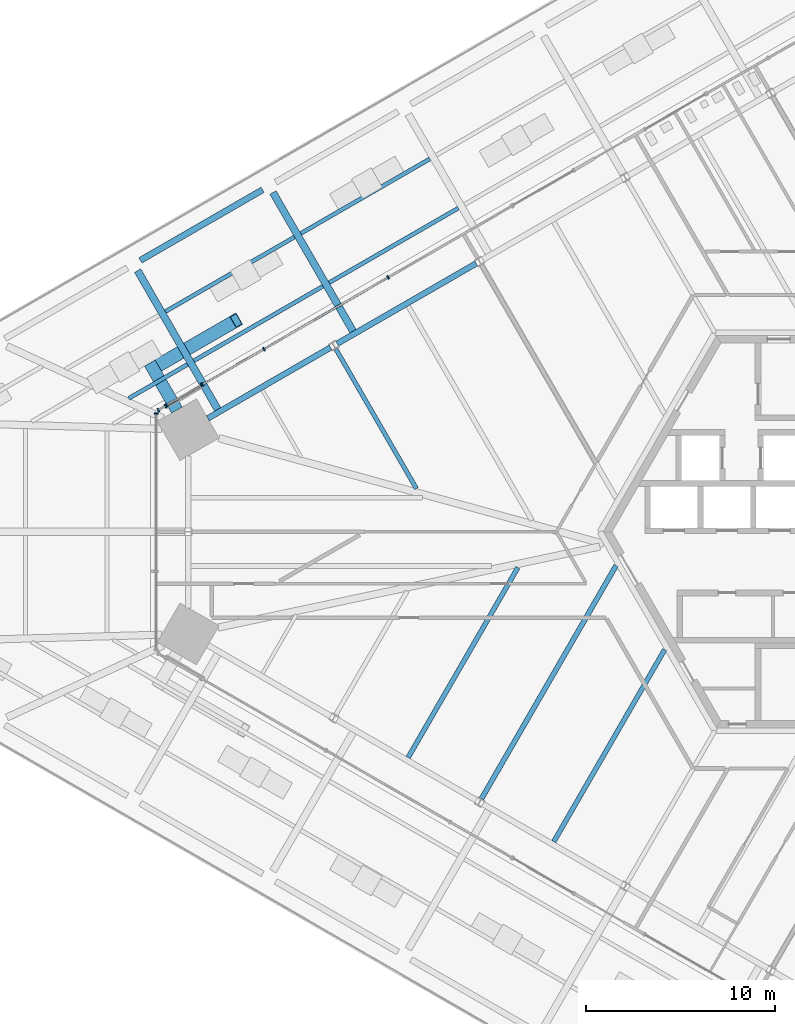
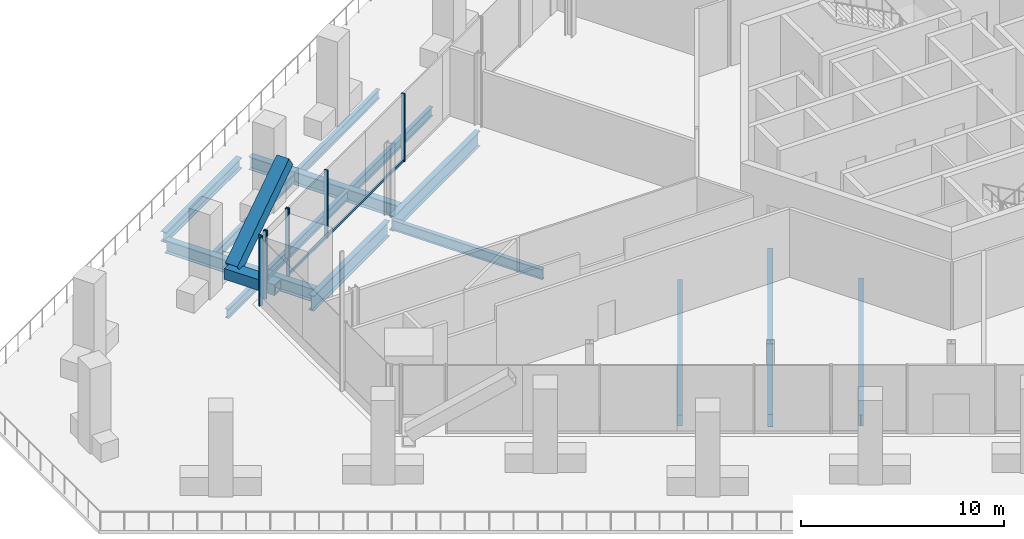
# One storey, part 7 of 38: 14 beams, 13 members, 4 elements without a shape of their own.
"""IFC4 building model written with IfcOpenShell, lengths in metres."""

import ifcopenshell
import ifcopenshell.guid

model = None  # the IFC model being written
_history = None  # IfcOwnerHistory: only IFC2X3 demands one
_inside = {}  # id of a spatial element -> (the spatial element, [elements in it])
_under = {}  # id of a project, library or spatial element -> (it, [spatial elements below it])
_declared = {}  # id of a project -> (the project, [libraries it declares])
_typed = {}  # id of a type object -> (the type object, [elements of that type])
_made_of = {}  # id of a material, layer set ... -> (it, [elements and type objects made of it])


def new_model(schema):
    """Start an empty IFC model of exactly this schema.

    Asked for "IFC4X3", IfcOpenShell would pick the latest addendum, in which some entities
    have other attributes; the version numbers below select the first issue.
    IFC2X3 requires an IfcOwnerHistory on every rooted entity: one is made here for all.
    """
    global model, _history
    if schema == "IFC4X3":
        model = ifcopenshell.file(schema_version=(4, 3, 0, 0))
    else:
        model = ifcopenshell.file(schema=schema)
    _inside.clear()
    _under.clear()
    _declared.clear()
    _typed.clear()
    _made_of.clear()
    _history = None
    if model.schema == "IFC2X3":
        org = make("IfcOrganization", Name="unknown")
        user = make(
            "IfcPersonAndOrganization",
            ThePerson=make("IfcPerson", FamilyName="unknown"),
            TheOrganization=org,
        )
        app = make(
            "IfcApplication",
            ApplicationDeveloper=org,
            Version="unknown",
            ApplicationFullName="unknown",
            ApplicationIdentifier="unknown",
        )
        _history = make(
            "IfcOwnerHistory",
            OwningUser=user,
            OwningApplication=app,
            ChangeAction="ADDED",
            CreationDate=0,
        )
    return model


def make(cls, **values):
    """One entity of the class cls with the attributes given. An attribute that is None is left unset."""
    return model.create_entity(
        cls, **{name: value for name, value in values.items() if value is not None}
    )


def rooted(cls, **values):
    """An entity with a GlobalId (a new one), such as an element, a storey or a relation."""
    return make(cls, GlobalId=ifcopenshell.guid.new(), OwnerHistory=_history, **values)


def si_unit(unit_type, name, prefix=None):
    """IfcSIUnit, for example si_unit("LENGTHUNIT", "METRE", prefix="MILLI")."""
    return make("IfcSIUnit", UnitType=unit_type, Prefix=prefix, Name=name)


def assignment(units):
    """IfcUnitAssignment: the units of a project."""
    return None if units is None else make("IfcUnitAssignment", Units=units)


def point(xyz):
    """IfcCartesianPoint."""
    return None if xyz is None else make("IfcCartesianPoint", Coordinates=xyz)


def direction(xyz):
    """IfcDirection."""
    return None if xyz is None else make("IfcDirection", DirectionRatios=xyz)


def frame(location, z_axis=None, x_axis=None):
    """IfcAxis2Placement3D, a coordinate frame: its origin and axes. An axis left out is left unset."""
    return make(
        "IfcAxis2Placement3D",
        Location=point(location),
        Axis=direction(z_axis),
        RefDirection=direction(x_axis),
    )


def frame_2d(location, x_axis=None):
    """IfcAxis2Placement2D, a coordinate frame in the plane: its origin and x axis."""
    return make(
        "IfcAxis2Placement2D", Location=point(location), RefDirection=direction(x_axis)
    )


def origin():
    """The frame at (0, 0, 0) with its axes left unset."""
    return frame((0.0, 0.0, 0.0))


def origin_2d():
    """The frame at (0, 0) in the plane with its x axis left unset."""
    return frame_2d((0.0, 0.0))


def place(relative_to, where):
    """IfcLocalPlacement: puts the frame where relative to a parent placement (None: the world)."""
    return make(
        "IfcLocalPlacement", PlacementRelTo=relative_to, RelativePlacement=where
    )


def context(
    kind, dimensions, precision=None, world=None, true_north=None, identifier=None
):
    """IfcGeometricRepresentationContext, for example the 3D "Model" context."""
    return make(
        "IfcGeometricRepresentationContext",
        ContextIdentifier=identifier,
        ContextType=kind,
        CoordinateSpaceDimension=dimensions,
        Precision=precision,
        WorldCoordinateSystem=world,
        TrueNorth=true_north,
    )


def subcontext(parent, identifier, kind, view, scale=None):
    """IfcGeometricRepresentationSubContext, for example "Body" below "Model"."""
    return make(
        "IfcGeometricRepresentationSubContext",
        ContextIdentifier=identifier,
        ContextType=kind,
        ParentContext=parent,
        TargetScale=scale,
        TargetView=view,
    )


def project(units=None, contexts=None):
    """IfcProject with its units and contexts."""
    return rooted(
        "IfcProject",
        Name="project",
        RepresentationContexts=contexts,
        UnitsInContext=assignment(units),
    )


def spatial(cls, under=None, at=None, **own):
    """A site, building, storey or space (cls), placed at a placement, below another one or the project."""
    s = rooted(cls, ObjectPlacement=at, **own)
    if under is not None:
        _under.setdefault(under.id(), (under, []))[1].append(s)
    return s


def profile(cls, at=None, kind="AREA", **sizes):
    """A parametric profile (cls). Its sizes go by their IFC names, for example OverallWidth=200.0."""
    return make(cls, ProfileType=kind, Position=at, **sizes)


def rectangle(**sizes):
    """IfcRectangleProfileDef."""
    return profile("IfcRectangleProfileDef", **sizes)


def hollow_rectangle(**sizes):
    """IfcRectangleHollowProfileDef."""
    return profile("IfcRectangleHollowProfileDef", **sizes)


def i_section(**sizes):
    """IfcIShapeProfileDef."""
    return profile("IfcIShapeProfileDef", **sizes)


def extrude(swept, where, along, depth):
    """IfcExtrudedAreaSolid: the profile swept, set in the frame where, extruded along a direction by depth."""
    return make(
        "IfcExtrudedAreaSolid",
        SweptArea=swept,
        Position=where,
        ExtrudedDirection=direction(along),
        Depth=depth,
    )


def shape(context_of_items, identifier, shape_type, items):
    """IfcShapeRepresentation: the items that make up one representation, for example the "Body"."""
    return make(
        "IfcShapeRepresentation",
        ContextOfItems=context_of_items,
        RepresentationIdentifier=identifier,
        RepresentationType=shape_type,
        Items=items,
    )


def source(mapping_origin, context_of_items, identifier, shape_type, items):
    """IfcRepresentationMap: a shape defined once, which mapped items show again and again."""
    return make(
        "IfcRepresentationMap",
        MappingOrigin=mapping_origin,
        MappedRepresentation=shape(context_of_items, identifier, shape_type, items),
    )


def transform(
    local_origin,
    x_axis=None,
    y_axis=None,
    z_axis=None,
    scale=None,
    scale2=None,
    scale3=None,
    uniform=True,
):
    """IfcCartesianTransformationOperator3D, or its non-uniform kind. x_axis, y_axis, z_axis: its Axis1, 2, 3."""
    if uniform:
        return make(
            "IfcCartesianTransformationOperator3D",
            Axis1=direction(x_axis),
            Axis2=direction(y_axis),
            LocalOrigin=point(local_origin),
            Scale=scale,
            Axis3=direction(z_axis),
        )
    return make(
        "IfcCartesianTransformationOperator3DnonUniform",
        Axis1=direction(x_axis),
        Axis2=direction(y_axis),
        LocalOrigin=point(local_origin),
        Scale=scale,
        Axis3=direction(z_axis),
        Scale2=scale2,
        Scale3=scale3,
    )


def mapped(mapping_source, mapping_target):
    """IfcMappedItem: shows the shape of a source again, moved by a transform."""
    return make(
        "IfcMappedItem", MappingSource=mapping_source, MappingTarget=mapping_target
    )


def material(Name=None, Category=None):
    """IfcMaterial."""
    return make("IfcMaterial", Name=Name, Category=Category)


def material_profile(
    of_material, cross_section, Name=None, Category=None, Priority=None
):
    """IfcMaterialProfile: a cross section and its material."""
    return make(
        "IfcMaterialProfile",
        Name=Name,
        Material=of_material,
        Profile=cross_section,
        Priority=Priority,
        Category=Category,
    )


def profile_set(profiles, Name=None, composite=None):
    """IfcMaterialProfileSet."""
    return make(
        "IfcMaterialProfileSet",
        Name=Name,
        MaterialProfiles=profiles,
        CompositeProfile=composite,
    )


def made_of(thing, what):
    """Note that an element or type object is made of a material, layer set ...; save() writes the relation."""
    if what is not None:
        _made_of.setdefault(what.id(), (what, []))[1].append(thing)
    return thing


def type_object(cls, material=None, **own):
    """A type object (cls), such as IfcWallType, which elements share."""
    return made_of(rooted(cls, **own), material)


def element(
    cls,
    number,
    at=None,
    inside=None,
    cuts=None,
    type_object=None,
    material=None,
    context=None,
    identifier="Body",
    shape_type=None,
    held_by="IfcProductDefinitionShape",
    body=None,
    shapes=None,
    **own,
):
    """One element of the class cls, such as IfcWall. Its Tag is "e" and its number.

    at: its placement. inside: the storey or other place that contains it. cuts: it is an
    opening in that element (IfcRelVoidsElement). A single representation is given by context,
    identifier, shape_type and body (its items); several are given by shapes. held_by: the class
    of the entity that holds the representations. save() writes the other relations.
    """
    e = rooted(cls, Tag="e%d" % number, ObjectPlacement=at, **own)
    if body is not None:
        shapes = [shape(context, identifier, shape_type, body)]
    if shapes is not None:
        e.Representation = make(held_by, Representations=shapes)
    if inside is not None:
        _inside.setdefault(inside.id(), (inside, []))[1].append(e)
    if cuts is not None:
        rooted(
            "IfcRelVoidsElement", RelatingBuildingElement=cuts, RelatedOpeningElement=e
        )
    if type_object is not None:
        _typed.setdefault(type_object.id(), (type_object, []))[1].append(e)
    return made_of(e, material)


def aggregate(whole, parts):
    """IfcRelAggregates: a whole, such as a stair, and the parts it consists of."""
    return rooted("IfcRelAggregates", RelatingObject=whole, RelatedObjects=parts)


def save(model, path):
    """Write the relations noted so far, then the file.

    IfcRelAggregates (storeys below a building ...), IfcRelContainedInSpatialStructure (elements
    in a storey), IfcRelDefinesByType, IfcRelAssociatesMaterial and IfcRelDeclares: one each for
    every whole, place, type object, material and project.
    """
    for whole, parts in _under.values():
        aggregate(whole, parts)
    for where, things in _inside.values():
        rooted(
            "IfcRelContainedInSpatialStructure",
            RelatedElements=things,
            RelatingStructure=where,
        )
    for kind, things in _typed.values():
        rooted("IfcRelDefinesByType", RelatedObjects=things, RelatingType=kind)
    for what, things in _made_of.values():
        rooted("IfcRelAssociatesMaterial", RelatedObjects=things, RelatingMaterial=what)
    for by, libraries in _declared.values():
        rooted("IfcRelDeclares", RelatingContext=by, RelatedDefinitions=libraries)
    model.write(path)


model = new_model("IFC4")

# Units and contexts
model_context = context("Model", 3, precision=1e-05, world=origin(), true_north=direction((0.0, 1.0)))
body_context = subcontext(model_context, "Body", "Model", "MODEL_VIEW")
ifc_project = project(units=[si_unit("LENGTHUNIT", "METRE"), si_unit("AREAUNIT", "SQUARE_METRE"), si_unit("VOLUMEUNIT", "CUBIC_METRE"), si_unit("PLANEANGLEUNIT", "RADIAN"), si_unit("MASSUNIT", "GRAM", prefix="KILO")], contexts=[model_context])

# Site, building, storey
site_placement = place(None, origin())
site = spatial("IfcSite", under=ifc_project, at=site_placement, CompositionType="ELEMENT")
building_placement = place(site_placement, origin())
building = spatial("IfcBuilding", under=site, at=building_placement, Name="Triune Harvest Tower", CompositionType="ELEMENT")
storey_placement = place(building_placement, frame((0.0, 0.0, 16.0)))
storey = spatial("IfcBuildingStorey", under=building, at=storey_placement, Name="L03", CompositionType="ELEMENT", Elevation=16.0)

# Beams
ifc_material_1 = material(Name="Steel ASTM A992 Gr 50", Category="steel")
ifc_material_profile_1 = material_profile(ifc_material_1, i_section(OverallWidth=0.2666015625, OverallDepth=0.7568359375, WebThickness=0.013916015625, FlangeThickness=0.019287109375, at=origin_2d()), Name="W30x108")
ifc_profile_set_1 = profile_set([ifc_material_profile_1], Name="Steel ASTM A992 Gr 50")
beam_type_1 = type_object("IfcBeamType", Name="JT-5 Floor joist W30x108", PredefinedType="JOIST", material=ifc_profile_set_1)
shared_shape_1 = source(origin(), body_context, "Body", "SweptSolid", [
    extrude(i_section(OverallWidth=0.2666015625, OverallDepth=0.7568359375, WebThickness=0.013916015625, FlangeThickness=0.019287109375, at=origin_2d()), origin(), (0.0, 0.0, 1.0), 14.2685546875),
])
beam_1_placement = place(storey_placement, frame((-18.454345703125, -14.14404296875, -0.57861328125), z_axis=(0.499987083308, 0.866032861112, 0.0), x_axis=(-0.866032861112, 0.499987083308, 0.0)))
element("IfcBeam", 1, at=beam_1_placement, inside=storey, type_object=beam_type_1, Name="beam/L03/JT30", PredefinedType="JOIST", context=body_context, shape_type="MappedRepresentation", body=[
    mapped(shared_shape_1, transform((0.0, 0.0, 0.0), scale=1.0)),
])
ifc_material_2 = material(Name="Steel ASTM A992 Gr 50", Category="steel")
ifc_material_profile_2 = material_profile(ifc_material_2, i_section(OverallWidth=0.22900390625, OverallDepth=0.612060546875, WebThickness=0.011962890625, FlangeThickness=0.01953125, at=origin_2d()), Name="W24x84")
ifc_profile_set_2 = profile_set([ifc_material_profile_2], Name="Steel ASTM A992 Gr 50")
beam_type_2 = type_object("IfcBeamType", Name="JT-3 Floor joist W24x84", PredefinedType="JOIST", material=ifc_profile_set_2)
shared_shape_2 = source(origin(), body_context, "Body", "SweptSolid", [
    extrude(i_section(OverallWidth=0.22900390625, OverallDepth=0.612060546875, WebThickness=0.011962890625, FlangeThickness=0.01953125, at=origin_2d()), origin(), (0.0, 0.0, 1.0), 8.54736328125),
])
beam_2_placement = place(storey_placement, frame((-26.170654296875, 9.68896484375, -0.506103515625), z_axis=(0.500006795031, -0.866021480636, 0.0), x_axis=(0.866021480636, 0.500006795031, 0.0)))
element("IfcBeam", 2, at=beam_2_placement, inside=storey, type_object=beam_type_2, Name="beam/L03/JT23", PredefinedType="JOIST", context=body_context, shape_type="MappedRepresentation", body=[
    mapped(shared_shape_2, transform((0.0, 0.0, 0.0), scale=1.0)),
])
ifc_material_3 = material(Name="Steel ASTM A992 Gr 50", Category="steel")
ifc_material_profile_3 = material_profile(ifc_material_3, i_section(OverallWidth=0.32763671875, OverallDepth=0.62744140625, WebThickness=0.0166015625, FlangeThickness=0.027587890625, at=origin_2d()), Name="W24x146")
ifc_profile_set_3 = profile_set([ifc_material_profile_3], Name="Steel ASTM A992 Gr 50")
beam_type_3 = type_object("IfcBeamType", Name="PD-4 Podium edge beam W24x146", PredefinedType="BEAM", material=ifc_profile_set_3)
shared_shape_3 = source(origin(), body_context, "Body", "SweptSolid", [
    extrude(i_section(OverallWidth=0.32763671875, OverallDepth=0.62744140625, WebThickness=0.0166015625, FlangeThickness=0.027587890625, at=origin_2d()), origin(), (0.0, 0.0, 1.0), 7.47998046875),
])
beam_3_placement = place(storey_placement, frame((-30.04541015625, 18.1201171875, -0.513671875), z_axis=(-0.866008933936, -0.50002852553, 0.0), x_axis=(0.50002852553, -0.866008933936, 0.0)))
element("IfcBeam", 3, at=beam_3_placement, inside=storey, type_object=beam_type_3, Name="beam/L03/PE21", PredefinedType="BEAM", context=body_context, shape_type="MappedRepresentation", body=[
    mapped(shared_shape_3, transform((0.0, 0.0, 0.0), scale=1.0)),
])
ifc_material_4 = material(Name="Steel ASTM A992 Gr 50", Category="steel")
ifc_material_profile_4 = material_profile(ifc_material_4, i_section(OverallWidth=0.2138671875, OverallDepth=0.548583984375, WebThickness=0.0146484375, FlangeThickness=0.023681640625, at=origin_2d()), Name="W21x93")
ifc_profile_set_4 = profile_set([ifc_material_profile_4], Name="Steel ASTM A992 Gr 50")
beam_type_4 = type_object("IfcBeamType", Name="PD-5 Podium joist W21x93", PredefinedType="JOIST", material=ifc_profile_set_4)
shared_shape_4 = source(origin(), body_context, "Body", "SweptSolid", [
    extrude(i_section(OverallWidth=0.2138671875, OverallDepth=0.548583984375, WebThickness=0.0146484375, FlangeThickness=0.023681640625, at=origin_2d()), origin(), (0.0, 0.0, 1.0), 3.59619140625),
])
beam_4_placement = place(storey_placement, frame((-34.022705078125, 8.8681640625, -0.474365234375), z_axis=(-0.866032969717, -0.499986895192, 0.0), x_axis=(0.499986895192, -0.866032969717, 0.0)))
element("IfcBeam", 4, at=beam_4_placement, inside=storey, type_object=beam_type_4, Name="beam/L03/PJ46", PredefinedType="JOIST", context=body_context, shape_type="MappedRepresentation", body=[
    mapped(shared_shape_4, transform((0.0, 0.0, 0.0), scale=1.0)),
])
shared_shape_5 = source(origin(), body_context, "Body", "SweptSolid", [
    extrude(i_section(OverallWidth=0.2138671875, OverallDepth=0.548583984375, WebThickness=0.0146484375, FlangeThickness=0.023681640625, at=origin_2d()), origin(), (0.0, 0.0, 1.0), 7.89892578125),
])
beam_5_placement = place(storey_placement, frame((-19.681396484375, 17.148193359375, -0.474365234375), z_axis=(-0.866009037848, -0.500028345562, 0.0), x_axis=(0.500028345562, -0.866009037848, 0.0)))
element("IfcBeam", 5, at=beam_5_placement, inside=storey, type_object=beam_type_4, Name="beam/L03/PJ42", PredefinedType="JOIST", context=body_context, shape_type="MappedRepresentation", body=[
    mapped(shared_shape_5, transform((0.0, 0.0, 0.0), scale=1.0)),
])
shared_shape_6 = source(origin(), body_context, "Body", "SweptSolid", [
    extrude(i_section(OverallWidth=0.2138671875, OverallDepth=0.548583984375, WebThickness=0.0146484375, FlangeThickness=0.023681640625, at=origin_2d()), origin(), (0.0, 0.0, 1.0), 7.899169921875),
])
for number, where, z_axis, x_axis, name in (
    (6, (-21.187255859375, 19.75634765625, -0.474365234375), (-0.866030148722, -0.499991781437, 0.0), (0.499991781437, -0.866030148722, 0.0), "beam/L03/PJ41"),
    (7, (-28.35791015625, 15.616455078125, -0.474365234375), (-0.866030148722, -0.499991781437, 0.0), (0.499991781437, -0.866030148722, 0.0), "beam/L03/PJ43"),
    (8, (-26.85205078125, 13.008056640625, -0.474365234375), (-0.866030148722, -0.499991781437, 0.0), (0.499991781437, -0.866030148722, 0.0), "beam/L03/PJ44"),
):
    element("IfcBeam", number, at=place(storey_placement, frame(where, z_axis=z_axis, x_axis=x_axis)), inside=storey, type_object=beam_type_4, Name=name, PredefinedType="JOIST", context=body_context, shape_type="MappedRepresentation", body=[
        mapped(shared_shape_6, transform((0.0, 0.0, 0.0), scale=1.0)),
    ])
ifc_material_5 = material(Name="Steel ASTM A992 Gr 50", Category="steel")
ifc_material_profile_5 = material_profile(ifc_material_5, i_section(OverallWidth=0.3046875, OverallDepth=0.914306640625, WebThickness=0.0166015625, FlangeThickness=0.02587890625, at=origin_2d()), Name="W36x160")
ifc_profile_set_5 = profile_set([ifc_material_profile_5], Name="Steel ASTM A992 Gr 50")
beam_type_5 = type_object("IfcBeamType", Name="SB-1 Spandrel beam W36x160", PredefinedType="SPANDREL", material=ifc_profile_set_5)
shared_shape_7 = source(origin(), body_context, "Body", "SweptSolid", [
    extrude(i_section(OverallWidth=0.3046875, OverallDepth=0.914306640625, WebThickness=0.0166015625, FlangeThickness=0.02587890625, at=origin_2d()), origin(), (0.0, 0.0, 1.0), 7.508056640625),
])
beam_6_placement = place(storey_placement, frame((-26.447265625, 9.763916015625, -0.6572265625), z_axis=(-0.866033425553, -0.499986105632, 0.0), x_axis=(0.499986105632, -0.866033425553, 0.0)))
element("IfcBeam", 9, at=beam_6_placement, inside=storey, type_object=beam_type_5, Name="beam/L03/SB14", PredefinedType="SPANDREL", context=body_context, shape_type="MappedRepresentation", body=[
    mapped(shared_shape_7, transform((0.0, 0.0, 0.0), scale=1.0)),
])
shared_shape_8 = source(origin(), body_context, "Body", "SweptSolid", [
    extrude(i_section(OverallWidth=0.3046875, OverallDepth=0.914306640625, WebThickness=0.0166015625, FlangeThickness=0.02587890625, at=origin_2d()), origin(), (0.0, 0.0, 1.0), 8.506103515625),
])
beam_7_placement = place(storey_placement, frame((-18.73095703125, 14.218994140625, -0.6572265625), z_axis=(-0.866030246746, -0.49999161165, 0.0), x_axis=(0.49999161165, -0.866030246746, 0.0)))
element("IfcBeam", 10, at=beam_7_placement, inside=storey, type_object=beam_type_5, Name="beam/L03/SB13", PredefinedType="SPANDREL", context=body_context, shape_type="MappedRepresentation", body=[
    mapped(shared_shape_8, transform((0.0, 0.0, 0.0), scale=1.0)),
])
ifc_material_6 = material(Name="Steel ASTM A992 Gr 50", Category="steel")
ifc_material_profile_6 = material_profile(ifc_material_6, i_section(OverallWidth=0.253662109375, OverallDepth=0.683349609375, WebThickness=0.012451171875, FlangeThickness=0.01904296875, at=origin_2d()), Name="W27x94")
ifc_profile_set_6 = profile_set([ifc_material_profile_6], Name="Steel ASTM A992 Gr 50")
beam_type_6 = type_object("IfcBeamType", Name="JT-4 Floor joist W27x94", PredefinedType="JOIST", material=ifc_profile_set_6)
shared_shape_9 = source(origin(), body_context, "Body", "SweptSolid", [
    extrude(i_section(OverallWidth=0.253662109375, OverallDepth=0.683349609375, WebThickness=0.012451171875, FlangeThickness=0.01904296875, at=origin_2d()), origin(), (0.0, 0.0, 1.0), 11.618896484375),
])
beam_8_placement = place(storey_placement, frame((-22.337890625, -11.96044921875, -0.54150390625), z_axis=(0.500008015982, 0.866020775706, 0.0), x_axis=(-0.866020775706, 0.500008015982, 0.0)))
element("IfcBeam", 11, at=beam_8_placement, inside=storey, type_object=beam_type_6, Name="beam/L03/JT29", PredefinedType="JOIST", context=body_context, shape_type="MappedRepresentation", body=[
    mapped(shared_shape_9, transform((0.0, 0.0, 0.0), scale=1.0)),
])
shared_shape_10 = source(origin(), body_context, "Body", "SweptSolid", [
    extrude(i_section(OverallWidth=0.253662109375, OverallDepth=0.683349609375, WebThickness=0.012451171875, FlangeThickness=0.01904296875, at=origin_2d()), origin(), (0.0, 0.0, 1.0), 11.7470703125),
])
beam_9_placement = place(storey_placement, frame((-14.62158203125, -16.41552734375, -0.54150390625), z_axis=(0.49999710518, 0.866027075103, 0.0), x_axis=(-0.866027075103, 0.49999710518, 0.0)))
element("IfcBeam", 12, at=beam_9_placement, inside=storey, type_object=beam_type_6, Name="beam/L03/JT31", PredefinedType="JOIST", context=body_context, shape_type="MappedRepresentation", body=[
    mapped(shared_shape_10, transform((0.0, 0.0, 0.0), scale=1.0)),
])
ifc_material_7 = material(Name="Steel ASTM A992 Gr 50", Category="steel")
ifc_material_profile_7 = material_profile(ifc_material_7, i_section(OverallWidth=0.381103515625, OverallDepth=0.772216796875, WebThickness=0.0166015625, FlangeThickness=0.027099609375, at=origin_2d()), Name="W30x173")
ifc_profile_set_7 = profile_set([ifc_material_profile_7], Name="Steel ASTM A992 Gr 50")
beam_type_7 = type_object("IfcBeamType", Name="PD-3 Podium girder W30x173", PredefinedType="BEAM", material=ifc_profile_set_7)
shared_shape_11 = source(origin(), body_context, "Body", "SweptSolid", [
    extrude(i_section(OverallWidth=0.381103515625, OverallDepth=0.772216796875, WebThickness=0.0166015625, FlangeThickness=0.027099609375, at=origin_2d()), origin(), (0.0, 0.0, 1.0), 8.483154296875),
])
for number, where, z_axis, x_axis, name in (
    (13, (-29.498779296875, 17.9736328125, -0.586181640625), (0.499986524641, -0.866033183647, 0.0), (0.866033183647, 0.499986524641, 0.0), "beam/L03/PR23"),
    (14, (-36.669677734375, 13.83349609375, -0.586181640625), (0.50002057131, -0.866013526608, 0.0), (0.866013526608, 0.50002057131, 0.0), "beam/L03/PR24"),
):
    element("IfcBeam", number, at=place(storey_placement, frame(where, z_axis=z_axis, x_axis=x_axis)), inside=storey, type_object=beam_type_7, Name=name, PredefinedType="BEAM", context=body_context, shape_type="MappedRepresentation", body=[
        mapped(shared_shape_11, transform((0.0, 0.0, 0.0), scale=1.0)),
    ])

# Members
ifc_material_8 = material(Name="Steel ASTM A572 Gr 50", Category="steel")
ifc_material_profile_8 = material_profile(ifc_material_8, hollow_rectangle(XDim=0.699951171875, YDim=0.699951171875, WallThickness=0.0400390625, at=origin_2d()), Name="Box 700x700x40")
ifc_profile_set_8 = profile_set([ifc_material_profile_8], Name="Steel ASTM A572 Gr 50")
member_type_1 = type_object("IfcMemberType", Name="BR-1 Brace Box 700x700x40", PredefinedType="BRACE", material=ifc_profile_set_8)
shared_shape_12 = source(origin(), body_context, "Body", "SweptSolid", [
    extrude(hollow_rectangle(XDim=0.699951171875, YDim=0.699951171875, WallThickness=0.0400390625, at=origin_2d()), origin(), (0.0, 0.0, 1.0), 6.12890625),
])
member_1_placement = place(storey_placement, frame((-35.859619140625, 8.650634765625, 0.889892578125), z_axis=(0.719593116194, 0.415463946964, 0.556395053806), x_axis=(-0.500006018292, 0.866021929094, 0.0)))
element("IfcMember", 15, at=member_1_placement, inside=storey, type_object=member_type_1, Name="brace/B1-F3/d2/1", PredefinedType="BRACE", context=body_context, shape_type="MappedRepresentation", body=[
    mapped(shared_shape_12, transform((0.0, 0.0, 0.0), scale=1.0)),
])
ifc_material_9 = material(Name="Steel ASTM A572 Gr 50", Category="steel")
ifc_material_profile_9 = material_profile(ifc_material_9, hollow_rectangle(XDim=0.64990234375, YDim=0.64990234375, WallThickness=0.070068359375, at=origin_2d()), Name="Box 650x650x70")
ifc_profile_set_9 = profile_set([ifc_material_profile_9], Name="Steel ASTM A572 Gr 50")
member_type_2 = type_object("IfcMemberType", Name="BS-1 Brace stub Box 650x650x70", PredefinedType="STRUT", material=ifc_profile_set_9)
shared_shape_13 = source(origin(), body_context, "Body", "SweptSolid", [
    extrude(hollow_rectangle(XDim=0.64990234375, YDim=0.64990234375, WallThickness=0.070068359375, at=origin_2d()), origin(), (0.0, 0.0, 1.0), 2.871826171875),
])
member_2_placement = place(storey_placement, frame((-34.588623046875, 6.44921875, 0.60009765625), z_axis=(-0.499970211122, 0.866042601718, 0.0), x_axis=(-0.866042601718, -0.499970211122, 0.0)))
element("IfcMember", 16, at=member_2_placement, inside=storey, type_object=member_type_2, Name="brace/B1-F3/stub3", PredefinedType="STRUT", context=body_context, shape_type="MappedRepresentation", body=[
    mapped(shared_shape_13, transform((0.0, 0.0, 0.0), scale=1.0)),
])

# Curtain wall, members
ifc_material_10 = material(Name="Aluminium bronze anodised", Category="aluminium")
curtain_wall_type_1 = type_object("IfcCurtainWallType", Name="CW-6 Balcony window wall", PredefinedType="NOTDEFINED", material=ifc_material_10)
curtain_wall_1_placement = place(storey_placement, origin())
curtain_wall_1 = element("IfcCurtainWall", 17, at=curtain_wall_1_placement, inside=storey, type_object=curtain_wall_type_1, Name="CW-6 B1-F3 L03 run 102")
ifc_material_11 = material(Name="Aluminium bronze anodised", Category="aluminium")
ifc_material_profile_10 = material_profile(ifc_material_11, rectangle(XDim=0.199951171875, YDim=0.074951171875, at=origin_2d()), Name="MU-6 mullion 75 x 200")
ifc_profile_set_10 = profile_set([ifc_material_profile_10], Name="Aluminium bronze anodised")
member_type_3 = type_object("IfcMemberType", Name="MU-6 mullion 75 x 200", PredefinedType="MULLION", material=ifc_profile_set_10)
shared_shape_14 = source(origin(), body_context, "Body", "SweptSolid", [
    extrude(rectangle(XDim=0.199951171875, YDim=0.074951171875, at=origin_2d()), origin(), (0.0, 0.0, 1.0), 3.114990234375),
])
member_3_placement = place(storey_placement, frame((-33.300048828125, 7.76123046875, 0.985107421875), z_axis=(0.0, 0.0, 1.0), x_axis=(0.500001212781, -0.866024703584, 0.0)))
member_3 = element("IfcMember", 18, at=member_3_placement, type_object=member_type_3, Name="CW-6 mullion B1-F3 102.1", PredefinedType="MULLION", context=body_context, shape_type="MappedRepresentation", body=[
    mapped(shared_shape_14, transform((0.0, 0.0, 0.0), scale=1.0)),
])
member_4_placement = place(storey_placement, frame((-35.135498046875, 6.701416015625, 0.985107421875), z_axis=(0.0, 0.0, 1.0), x_axis=(0.500001212781, -0.866024703584, 0.0)))
member_4 = element("IfcMember", 19, at=member_4_placement, type_object=member_type_3, Name="CW-6 mullion B1-F3 102.2", PredefinedType="MULLION", context=body_context, shape_type="MappedRepresentation", body=[
    mapped(shared_shape_14, transform((0.0, 0.0, 0.0), scale=1.0)),
])

ifc_material_12 = material(Name="Aluminium bronze anodised", Category="aluminium")
curtain_wall_type_2 = type_object("IfcCurtainWallType", Name="CW-10 Balcony window wall with insulated spandrel infill", PredefinedType="NOTDEFINED", material=ifc_material_12)
curtain_wall_2_placement = place(storey_placement, origin())
curtain_wall_2 = element("IfcCurtainWall", 20, at=curtain_wall_2_placement, inside=storey, type_object=curtain_wall_type_2, Name="CW-10 B1-F3 L03 run 1002")
shared_shape_15 = source(origin(), body_context, "Body", "SweptSolid", [
    extrude(rectangle(XDim=0.199951171875, YDim=0.074951171875, at=origin_2d()), origin(), (0.0, 0.0, 1.0), 4.10009765625),
])
member_5_placement = place(storey_placement, frame((-23.399658203125, 13.477294921875, 0.0), z_axis=(0.0, 0.0, 1.0), x_axis=(0.500003685711, -0.866023275828, 0.0)))
member_5 = element("IfcMember", 21, at=member_5_placement, type_object=member_type_3, Name="CW-10 mullion B1-F3 1002.3", PredefinedType="MULLION", context=body_context, shape_type="MappedRepresentation", body=[
    mapped(shared_shape_15, transform((0.0, 0.0, 0.0), scale=1.0)),
])
member_6_placement = place(storey_placement, frame((-29.978271484375, 9.678955078125, 0.0), z_axis=(0.0, 0.0, 1.0), x_axis=(0.500003685711, -0.866023275828, 0.0)))
member_6 = element("IfcMember", 22, at=member_6_placement, type_object=member_type_3, Name="CW-10 mullion B1-F3 1002.5", PredefinedType="MULLION", context=body_context, shape_type="MappedRepresentation", body=[
    mapped(shared_shape_15, transform((0.0, 0.0, 0.0), scale=1.0)),
])
member_7_placement = place(storey_placement, frame((-33.235107421875, 7.798583984375, 0.0), z_axis=(0.0, 0.0, 1.0), x_axis=(0.500003685711, -0.866023275828, 0.0)))
member_7 = element("IfcMember", 23, at=member_7_placement, type_object=member_type_3, Name="CW-10 mullion B1-F3 1002.6", PredefinedType="MULLION", context=body_context, shape_type="MappedRepresentation", body=[
    mapped(shared_shape_15, transform((0.0, 0.0, 0.0), scale=1.0)),
])

curtain_wall_3_placement = place(storey_placement, origin())
curtain_wall_3 = element("IfcCurtainWall", 24, at=curtain_wall_3_placement, inside=storey, type_object=curtain_wall_type_1, Name="CW-6 B1-F3 L03 run 202")
member_8_placement = place(storey_placement, frame((-35.200439453125, 6.6640625, 0.0), z_axis=(0.0, 0.0, 1.0), x_axis=(0.499975448906, -0.866039577901, 0.0)))
member_8 = element("IfcMember", 25, at=member_8_placement, type_object=member_type_3, Name="CW-6 mullion B1-F3 202.1", PredefinedType="MULLION", context=body_context, shape_type="MappedRepresentation", body=[
    mapped(shared_shape_15, transform((0.0, 0.0, 0.0), scale=1.0)),
])
member_9_placement = place(storey_placement, frame((-35.570068359375, 6.450439453125, 0.0), z_axis=(0.0, 0.0, 1.0), x_axis=(0.499975448906, -0.866039577901, 0.0)))
member_9 = element("IfcMember", 26, at=member_9_placement, type_object=member_type_3, Name="CW-6 mullion B1-F3 202.2", PredefinedType="MULLION", context=body_context, shape_type="MappedRepresentation", body=[
    mapped(shared_shape_15, transform((0.0, 0.0, 0.0), scale=1.0)),
])
aggregate(curtain_wall_3, [member_8, member_9])

# Member
ifc_material_13 = material(Name="Aluminium bronze anodised", Category="aluminium")
ifc_material_profile_11 = material_profile(ifc_material_13, rectangle(XDim=0.090087890625, YDim=0.14990234375, at=origin_2d()), Name="TR-6 transom 90 x 150")
ifc_profile_set_11 = profile_set([ifc_material_profile_11], Name="Aluminium bronze anodised")
member_type_4 = type_object("IfcMemberType", Name="TR-6 transom 90 x 150", PredefinedType="USERDEFINED", material=ifc_profile_set_11)
shared_shape_16 = source(origin(), body_context, "Body", "SweptSolid", [
    extrude(rectangle(XDim=0.090087890625, YDim=0.14990234375, at=origin_2d()), origin(), (0.0, 0.0, 1.0), 7.521484375),
])
member_10_placement = place(storey_placement, frame((-23.43212890625, 13.45849609375, 0.074951171875), z_axis=(-0.866021259968, -0.500007177232, 0.0), x_axis=(0.500007177232, -0.866021259968, 0.0)))
member_10 = element("IfcMember", 27, at=member_10_placement, type_object=member_type_4, Name="CW-10 transom B1-F3 1002.2", ObjectType="TRANSOM", PredefinedType="USERDEFINED", context=body_context, shape_type="MappedRepresentation", body=[
    mapped(shared_shape_16, transform((0.0, 0.0, 0.0), scale=1.0)),
])

# Curtain wall, member
ifc_material_14 = material(Name="Aluminium bronze anodised", Category="aluminium")
curtain_wall_type_3 = type_object("IfcCurtainWallType", Name="CW-3 Farm floor curtain wall", PredefinedType="NOTDEFINED", material=ifc_material_14)
curtain_wall_4_placement = place(storey_placement, origin())
curtain_wall_4 = element("IfcCurtainWall", 28, at=curtain_wall_4_placement, inside=storey, type_object=curtain_wall_type_3, Name="CW-3 B1-F4 L03 run 1")
ifc_material_15 = material(Name="Aluminium bronze anodised", Category="aluminium")
ifc_material_profile_12 = material_profile(ifc_material_15, rectangle(XDim=0.199951171875, YDim=0.080078125, at=origin_2d()), Name="MU-3 mullion 80 x 200")
ifc_profile_set_12 = profile_set([ifc_material_profile_12], Name="Aluminium bronze anodised")
member_type_5 = type_object("IfcMemberType", Name="MU-3 mullion 80 x 200", PredefinedType="MULLION", material=ifc_profile_set_12)
shared_shape_17 = source(origin(), body_context, "Body", "SweptSolid", [
    extrude(rectangle(XDim=0.199951171875, YDim=0.080078125, at=origin_2d()), origin(), (0.0, 0.0, 1.0), 4.10009765625),
])
member_11_placement = place(storey_placement, frame((-35.680419921875, 6.2568359375, 0.0), z_axis=(0.0, 0.0, 1.0), x_axis=(1.0, 0.0, 0.0)))
member_11 = element("IfcMember", 29, at=member_11_placement, type_object=member_type_5, Name="CW-3 mullion B1-F4 1.1", PredefinedType="MULLION", context=body_context, shape_type="MappedRepresentation", body=[
    mapped(shared_shape_17, transform((0.0, 0.0, 0.0), scale=1.0)),
])
aggregate(curtain_wall_4, [member_11])

# Member
shared_shape_18 = source(origin(), body_context, "Body", "SweptSolid", [
    extrude(rectangle(XDim=0.090087890625, YDim=0.14990234375, at=origin_2d()), origin(), (0.0, 0.0, 1.0), 2.04443359375),
])
member_12_placement = place(storey_placement, frame((-33.33251953125, 7.742431640625, 1.06005859375), z_axis=(-0.866022515895, -0.500005001938, 0.0), x_axis=(0.500005001938, -0.866022515895, 0.0)))
member_12 = element("IfcMember", 30, at=member_12_placement, type_object=member_type_4, Name="CW-6 transom B1-F3 102.1", ObjectType="TRANSOM", PredefinedType="USERDEFINED", context=body_context, shape_type="MappedRepresentation", body=[
    mapped(shared_shape_18, transform((0.0, 0.0, 0.0), scale=1.0)),
])

aggregate(curtain_wall_1, [member_3, member_4, member_12])

shared_shape_19 = source(origin(), body_context, "Body", "SweptSolid", [
    extrude(rectangle(XDim=0.090087890625, YDim=0.14990234375, at=origin_2d()), origin(), (0.0, 0.0, 1.0), 3.685546875),
])
member_13_placement = place(storey_placement, frame((-30.0107421875, 9.66015625, 0.074951171875), z_axis=(-0.866033360935, -0.499986217557, 0.0), x_axis=(0.499986217557, -0.866033360935, 0.0)))
member_13 = element("IfcMember", 31, at=member_13_placement, type_object=member_type_4, Name="CW-10 transom B1-F3 1002.3", ObjectType="TRANSOM", PredefinedType="USERDEFINED", context=body_context, shape_type="MappedRepresentation", body=[
    mapped(shared_shape_19, transform((0.0, 0.0, 0.0), scale=1.0)),
])

aggregate(curtain_wall_2, [member_5, member_6, member_7, member_10, member_13])

save(model, "model.ifc")
